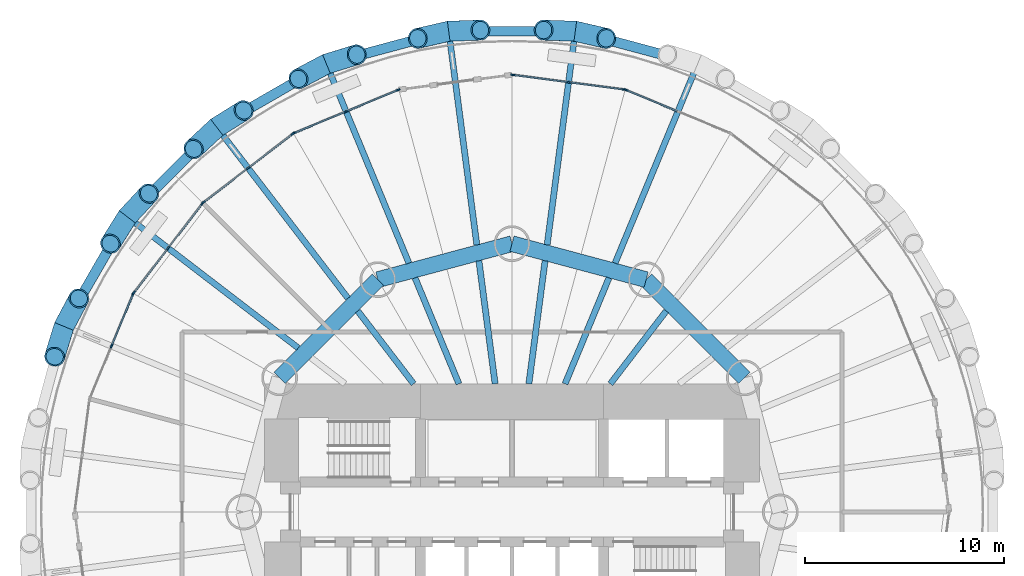
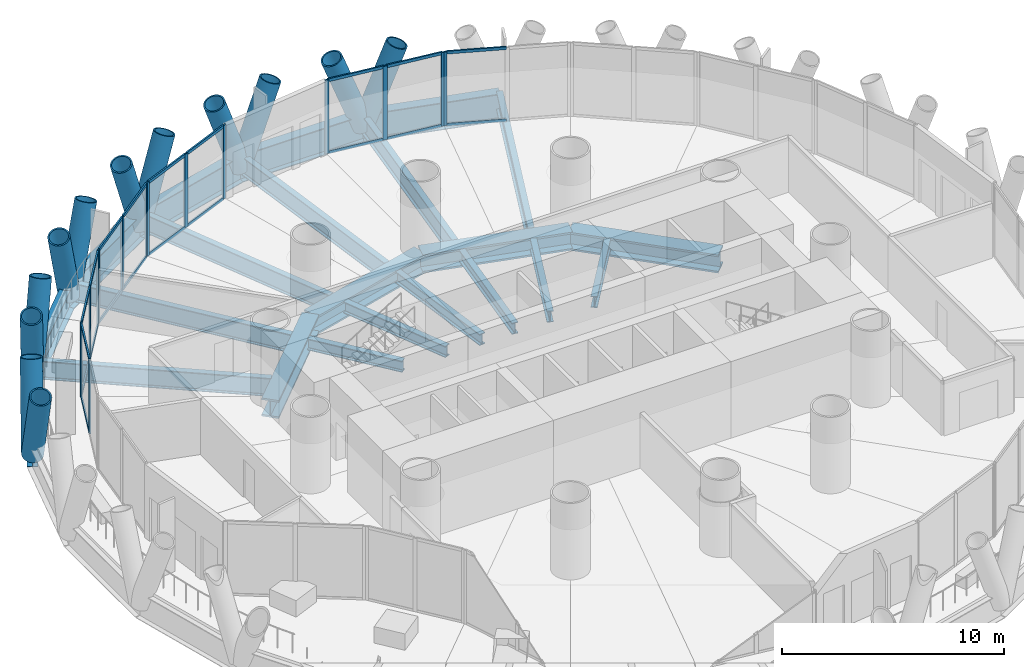
# One storey, part 5 of 14: 47 members, 22 beams, 6 elements without a shape of their own.
"""IFC4 building model written with IfcOpenShell, lengths in metres."""

from ifc_helpers import new_model, si_unit, direction, frame, origin, origin_2d, place, context, subcontext, project, spatial, rectangle, hollow_circle, i_section, extrude, material, material_profile, profile_set, type_object, element, aggregate, save


model = new_model("IFC4")

# Units and contexts
model_context = context("Model", 3, precision=1e-05, world=origin(), true_north=direction((0.0, 1.0)))
body_context = subcontext(model_context, "Body", "Model", "MODEL_VIEW")
ifc_project = project(units=[si_unit("LENGTHUNIT", "METRE"), si_unit("AREAUNIT", "SQUARE_METRE"), si_unit("VOLUMEUNIT", "CUBIC_METRE"), si_unit("PLANEANGLEUNIT", "RADIAN"), si_unit("MASSUNIT", "GRAM", prefix="KILO")], contexts=[model_context])

# Site, building, storey
site_placement = place(None, origin())
site = spatial("IfcSite", under=ifc_project, at=site_placement, CompositionType="ELEMENT")
building_placement = place(site_placement, origin())
building = spatial("IfcBuilding", under=site, at=building_placement, Name="Qaws Media Tower", CompositionType="ELEMENT")
storey_placement = place(building_placement, frame((0.0, 0.0, 185.60009765625)))
storey = spatial("IfcBuildingStorey", under=building, at=storey_placement, Name="L42", CompositionType="ELEMENT", Elevation=185.60009765625)

# Curtain wall, member
ifc_material_1 = material(Name="Aluminium and clear glass", Category="aluminium")
curtain_wall_type = type_object("IfcCurtainWallType", Name="Unitised curtain wall CW-B", PredefinedType="NOTDEFINED", material=ifc_material_1)
curtain_wall_1_placement = place(storey_placement, origin())
curtain_wall_1 = element("IfcCurtainWall", 1, at=curtain_wall_1_placement, inside=storey, type_object=curtain_wall_type, Name="CWB curtain wall L42-05", PredefinedType="NOTDEFINED")
ifc_material_2 = material(Name="Aluminium mullion", Category="aluminium")
ifc_material_profile_1 = material_profile(ifc_material_2, rectangle(XDim=0.080078125, YDim=0.199951171875, at=origin_2d()), Name="80x200")
ifc_profile_set_1 = profile_set([ifc_material_profile_1], Name="Aluminium mullion")
member_type_1 = type_object("IfcMemberType", Name="Curtain wall mullion 80x200", PredefinedType="MULLION", material=ifc_profile_set_1)
member_1_placement = place(storey_placement, frame((65.73095703125, 71.235107421875, 0.0), z_axis=(0.0, 0.0, 1.0), x_axis=(-0.38268338899, -0.923879550478, 0.0)))
member_1 = element("IfcMember", 2, at=member_1_placement, type_object=member_type_1, Name="CWB mullion 3", PredefinedType="MULLION", context=body_context, shape_type="SweptSolid", body=[
    extrude(rectangle(XDim=0.080078125, YDim=0.199951171875, at=origin_2d()), origin(), (0.0, 0.0, 1.0), 4.039794921875),
])

# Curtain wall, members
curtain_wall_2_placement = place(storey_placement, origin())
curtain_wall_2 = element("IfcCurtainWall", 3, at=curtain_wall_2_placement, inside=storey, type_object=curtain_wall_type, Name="CWB curtain wall L42-06", PredefinedType="NOTDEFINED")
member_2_placement = place(storey_placement, frame((65.654296875, 71.255615234375, 0.0), z_axis=(0.0, 0.0, 1.0), x_axis=(-0.130526222571, -0.991444857378, 0.0)))
member_2 = element("IfcMember", 4, at=member_2_placement, type_object=member_type_1, Name="CWB mullion 1", PredefinedType="MULLION", context=body_context, shape_type="SweptSolid", body=[
    extrude(rectangle(XDim=0.080078125, YDim=0.199951171875, at=origin_2d()), origin(), (0.0, 0.0, 1.0), 4.039794921875),
])
member_3_placement = place(storey_placement, frame((62.846923828125, 71.625244140625, 0.0), z_axis=(0.0, 0.0, 1.0), x_axis=(-0.130526222571, -0.991444857378, 0.0)))
member_3 = element("IfcMember", 5, at=member_3_placement, type_object=member_type_1, Name="CWB mullion 2", PredefinedType="MULLION", context=body_context, shape_type="SweptSolid", body=[
    extrude(rectangle(XDim=0.080078125, YDim=0.199951171875, at=origin_2d()), origin(), (0.0, 0.0, 1.0), 4.039794921875),
])
member_4_placement = place(storey_placement, frame((60.03955078125, 71.994873046875, 0.0), z_axis=(0.0, 0.0, 1.0), x_axis=(-0.130526222571, -0.991444857378, 0.0)))
member_4 = element("IfcMember", 6, at=member_4_placement, type_object=member_type_1, Name="CWB mullion 3", PredefinedType="MULLION", context=body_context, shape_type="SweptSolid", body=[
    extrude(rectangle(XDim=0.080078125, YDim=0.199951171875, at=origin_2d()), origin(), (0.0, 0.0, 1.0), 4.039794921875),
])

curtain_wall_3_placement = place(storey_placement, origin())
curtain_wall_3 = element("IfcCurtainWall", 7, at=curtain_wall_3_placement, inside=storey, type_object=curtain_wall_type, Name="CWB curtain wall L42-08", PredefinedType="NOTDEFINED")
member_5_placement = place(storey_placement, frame((54.26904296875, 71.235107421875, 0.0), z_axis=(0.0, 0.0, 1.0), x_axis=(0.38268338899, -0.923879550478, 0.0)))
member_5 = element("IfcMember", 8, at=member_5_placement, type_object=member_type_1, Name="CWB mullion 1", PredefinedType="MULLION", context=body_context, shape_type="SweptSolid", body=[
    extrude(rectangle(XDim=0.080078125, YDim=0.199951171875, at=origin_2d()), origin(), (0.0, 0.0, 1.0), 4.039794921875),
])
member_6_placement = place(storey_placement, frame((51.653076171875, 70.1513671875, 0.0), z_axis=(0.0, 0.0, 1.0), x_axis=(0.38268338899, -0.923879550478, 0.0)))
member_6 = element("IfcMember", 9, at=member_6_placement, type_object=member_type_1, Name="CWB mullion 2", PredefinedType="MULLION", context=body_context, shape_type="SweptSolid", body=[
    extrude(rectangle(XDim=0.080078125, YDim=0.199951171875, at=origin_2d()), origin(), (0.0, 0.0, 1.0), 4.039794921875),
])
member_7_placement = place(storey_placement, frame((49.036865234375, 69.06787109375, 0.0), z_axis=(0.0, 0.0, 1.0), x_axis=(0.38268338899, -0.923879550478, 0.0)))
member_7 = element("IfcMember", 10, at=member_7_placement, type_object=member_type_1, Name="CWB mullion 3", PredefinedType="MULLION", context=body_context, shape_type="SweptSolid", body=[
    extrude(rectangle(XDim=0.080078125, YDim=0.199951171875, at=origin_2d()), origin(), (0.0, 0.0, 1.0), 4.039794921875),
])

curtain_wall_4_placement = place(storey_placement, origin())
curtain_wall_4 = element("IfcCurtainWall", 11, at=curtain_wall_4_placement, inside=storey, type_object=curtain_wall_type, Name="CWB curtain wall L42-09", PredefinedType="NOTDEFINED")
member_8_placement = place(storey_placement, frame((48.96826171875, 69.0283203125, 0.0), z_axis=(0.0, 0.0, 1.0), x_axis=(0.608761477846, -0.793353302817, 0.0)))
member_8 = element("IfcMember", 12, at=member_8_placement, type_object=member_type_1, Name="CWB mullion 1", PredefinedType="MULLION", context=body_context, shape_type="SweptSolid", body=[
    extrude(rectangle(XDim=0.080078125, YDim=0.199951171875, at=origin_2d()), origin(), (0.0, 0.0, 1.0), 4.039794921875),
])
member_9_placement = place(storey_placement, frame((46.721923828125, 67.304443359375, 0.0), z_axis=(0.0, 0.0, 1.0), x_axis=(0.608761477846, -0.793353302817, 0.0)))
member_9 = element("IfcMember", 13, at=member_9_placement, type_object=member_type_1, Name="CWB mullion 2", PredefinedType="MULLION", context=body_context, shape_type="SweptSolid", body=[
    extrude(rectangle(XDim=0.080078125, YDim=0.199951171875, at=origin_2d()), origin(), (0.0, 0.0, 1.0), 4.039794921875),
])
member_10_placement = place(storey_placement, frame((44.475341796875, 65.580810546875, 0.0), z_axis=(0.0, 0.0, 1.0), x_axis=(0.608761477846, -0.793353302817, 0.0)))
member_10 = element("IfcMember", 14, at=member_10_placement, type_object=member_type_1, Name="CWB mullion 3", PredefinedType="MULLION", context=body_context, shape_type="SweptSolid", body=[
    extrude(rectangle(XDim=0.080078125, YDim=0.199951171875, at=origin_2d()), origin(), (0.0, 0.0, 1.0), 4.039794921875),
])

curtain_wall_5_placement = place(storey_placement, origin())
curtain_wall_5 = element("IfcCurtainWall", 15, at=curtain_wall_5_placement, inside=storey, type_object=curtain_wall_type, Name="CWB curtain wall L42-10", PredefinedType="NOTDEFINED")
member_11_placement = place(storey_placement, frame((44.419189453125, 65.524658203125, 0.0), z_axis=(0.0, 0.0, 1.0), x_axis=(0.793353302817, -0.608761477846, 0.0)))
member_11 = element("IfcMember", 16, at=member_11_placement, type_object=member_type_1, Name="CWB mullion 1", PredefinedType="MULLION", context=body_context, shape_type="SweptSolid", body=[
    extrude(rectangle(XDim=0.080078125, YDim=0.199951171875, at=origin_2d()), origin(), (0.0, 0.0, 1.0), 4.039794921875),
])
member_12_placement = place(storey_placement, frame((42.695556640625, 63.278076171875, 0.0), z_axis=(0.0, 0.0, 1.0), x_axis=(0.793353302817, -0.608761477846, 0.0)))
member_12 = element("IfcMember", 17, at=member_12_placement, type_object=member_type_1, Name="CWB mullion 2", PredefinedType="MULLION", context=body_context, shape_type="SweptSolid", body=[
    extrude(rectangle(XDim=0.080078125, YDim=0.199951171875, at=origin_2d()), origin(), (0.0, 0.0, 1.0), 4.039794921875),
])
member_13_placement = place(storey_placement, frame((40.9716796875, 61.03173828125, 0.0), z_axis=(0.0, 0.0, 1.0), x_axis=(0.793353302817, -0.608761477846, 0.0)))
member_13 = element("IfcMember", 18, at=member_13_placement, type_object=member_type_1, Name="CWB mullion 3", PredefinedType="MULLION", context=body_context, shape_type="SweptSolid", body=[
    extrude(rectangle(XDim=0.080078125, YDim=0.199951171875, at=origin_2d()), origin(), (0.0, 0.0, 1.0), 4.039794921875),
])

curtain_wall_6_placement = place(storey_placement, origin())
curtain_wall_6 = element("IfcCurtainWall", 19, at=curtain_wall_6_placement, inside=storey, type_object=curtain_wall_type, Name="CWB curtain wall L42-11", PredefinedType="NOTDEFINED")
member_14_placement = place(storey_placement, frame((40.93212890625, 60.963134765625, 0.0), z_axis=(0.0, 0.0, 1.0), x_axis=(0.923879550478, -0.38268338899, 0.0)))
member_14 = element("IfcMember", 20, at=member_14_placement, type_object=member_type_1, Name="CWB mullion 1", PredefinedType="MULLION", context=body_context, shape_type="SweptSolid", body=[
    extrude(rectangle(XDim=0.080078125, YDim=0.199951171875, at=origin_2d()), origin(), (0.0, 0.0, 1.0), 4.039794921875),
])
member_15_placement = place(storey_placement, frame((39.8486328125, 58.346923828125, 0.0), z_axis=(0.0, 0.0, 1.0), x_axis=(0.923879550478, -0.38268338899, 0.0)))
member_15 = element("IfcMember", 21, at=member_15_placement, type_object=member_type_1, Name="CWB mullion 2", PredefinedType="MULLION", context=body_context, shape_type="SweptSolid", body=[
    extrude(rectangle(XDim=0.080078125, YDim=0.199951171875, at=origin_2d()), origin(), (0.0, 0.0, 1.0), 4.039794921875),
])

# Member
ifc_material_3 = material(Name="Aluminium transom", Category="aluminium")
ifc_material_profile_2 = material_profile(ifc_material_3, rectangle(XDim=0.080078125, YDim=0.159912109375, at=origin_2d()), Name="80x160")
ifc_profile_set_2 = profile_set([ifc_material_profile_2], Name="Aluminium transom")
member_type_2 = type_object("IfcMemberType", Name="Curtain wall transom 80x160", PredefinedType="USERDEFINED", material=ifc_profile_set_2)
member_16_placement = place(storey_placement, frame((68.31005859375, 70.166748046875, 0.039794921875), z_axis=(-0.923885988857, 0.382667844996, 0.0), x_axis=(-0.382667844996, -0.923885988857, 0.0)))
member_16 = element("IfcMember", 22, at=member_16_placement, type_object=member_type_2, Name="CWB transom 2.1", ObjectType="TRANSOM", PredefinedType="USERDEFINED", context=body_context, shape_type="SweptSolid", body=[
    extrude(rectangle(XDim=0.080078125, YDim=0.159912109375, at=origin_2d()), origin(), (0.0, 0.0, 1.0), 2.751708984375),
])

member_17_placement = place(storey_placement, frame((68.31005859375, 70.166748046875, 4.0), z_axis=(-0.923885988857, 0.382667844996, 0.0), x_axis=(-0.382667844996, -0.923885988857, 0.0)))
member_17 = element("IfcMember", 23, at=member_17_placement, type_object=member_type_2, Name="CWB transom 2.2", ObjectType="TRANSOM", PredefinedType="USERDEFINED", context=body_context, shape_type="SweptSolid", body=[
    extrude(rectangle(XDim=0.080078125, YDim=0.159912109375, at=origin_2d()), origin(), (0.0, 0.0, 1.0), 2.751708984375),
])

aggregate(curtain_wall_1, [member_1, member_16, member_17])

member_18_placement = place(storey_placement, frame((65.61474609375, 71.2607421875, 0.039794921875), z_axis=(-0.991445837429, 0.130518778133, 0.0), x_axis=(-0.130518778133, -0.991445837429, 0.0)))
member_18 = element("IfcMember", 24, at=member_18_placement, type_object=member_type_2, Name="CWB transom 1.1", ObjectType="TRANSOM", PredefinedType="USERDEFINED", context=body_context, shape_type="SweptSolid", body=[
    extrude(rectangle(XDim=0.080078125, YDim=0.159912109375, at=origin_2d()), origin(), (0.0, 0.0, 1.0), 2.75146484375),
])

member_19_placement = place(storey_placement, frame((65.61474609375, 71.2607421875, 4.0), z_axis=(-0.991445837429, 0.130518778133, 0.0), x_axis=(-0.130518778133, -0.991445837429, 0.0)))
member_19 = element("IfcMember", 25, at=member_19_placement, type_object=member_type_2, Name="CWB transom 1.2", ObjectType="TRANSOM", PredefinedType="USERDEFINED", context=body_context, shape_type="SweptSolid", body=[
    extrude(rectangle(XDim=0.080078125, YDim=0.159912109375, at=origin_2d()), origin(), (0.0, 0.0, 1.0), 2.75146484375),
])

member_20_placement = place(storey_placement, frame((62.807373046875, 71.63037109375, 0.039794921875), z_axis=(-0.991445837429, 0.130518778133, 0.0), x_axis=(-0.130518778133, -0.991445837429, 0.0)))
member_20 = element("IfcMember", 26, at=member_20_placement, type_object=member_type_2, Name="CWB transom 2.1", ObjectType="TRANSOM", PredefinedType="USERDEFINED", context=body_context, shape_type="SweptSolid", body=[
    extrude(rectangle(XDim=0.080078125, YDim=0.159912109375, at=origin_2d()), origin(), (0.0, 0.0, 1.0), 2.75146484375),
])

member_21_placement = place(storey_placement, frame((62.807373046875, 71.63037109375, 4.0), z_axis=(-0.991445837429, 0.130518778133, 0.0), x_axis=(-0.130518778133, -0.991445837429, 0.0)))
member_21 = element("IfcMember", 27, at=member_21_placement, type_object=member_type_2, Name="CWB transom 2.2", ObjectType="TRANSOM", PredefinedType="USERDEFINED", context=body_context, shape_type="SweptSolid", body=[
    extrude(rectangle(XDim=0.080078125, YDim=0.159912109375, at=origin_2d()), origin(), (0.0, 0.0, 1.0), 2.75146484375),
])

aggregate(curtain_wall_2, [member_2, member_3, member_4, member_18, member_19, member_20, member_21])

member_22_placement = place(storey_placement, frame((54.232177734375, 71.2197265625, 0.039794921875), z_axis=(-0.923885988857, -0.382667844996, 0.0), x_axis=(0.382667844996, -0.923885988857, 0.0)))
member_22 = element("IfcMember", 28, at=member_22_placement, type_object=member_type_2, Name="CWB transom 1.1", ObjectType="TRANSOM", PredefinedType="USERDEFINED", context=body_context, shape_type="SweptSolid", body=[
    extrude(rectangle(XDim=0.080078125, YDim=0.159912109375, at=origin_2d()), origin(), (0.0, 0.0, 1.0), 2.751708984375),
])

member_23_placement = place(storey_placement, frame((54.232177734375, 71.2197265625, 4.0), z_axis=(-0.923885988857, -0.382667844996, 0.0), x_axis=(0.382667844996, -0.923885988857, 0.0)))
member_23 = element("IfcMember", 29, at=member_23_placement, type_object=member_type_2, Name="CWB transom 1.2", ObjectType="TRANSOM", PredefinedType="USERDEFINED", context=body_context, shape_type="SweptSolid", body=[
    extrude(rectangle(XDim=0.080078125, YDim=0.159912109375, at=origin_2d()), origin(), (0.0, 0.0, 1.0), 2.751708984375),
])

member_24_placement = place(storey_placement, frame((51.615966796875, 70.13623046875, 0.039794921875), z_axis=(-0.923872994947, -0.38269921506, 0.0), x_axis=(0.38269921506, -0.923872994947, 0.0)))
member_24 = element("IfcMember", 30, at=member_24_placement, type_object=member_type_2, Name="CWB transom 2.1", ObjectType="TRANSOM", PredefinedType="USERDEFINED", context=body_context, shape_type="SweptSolid", body=[
    extrude(rectangle(XDim=0.080078125, YDim=0.159912109375, at=origin_2d()), origin(), (0.0, 0.0, 1.0), 2.75146484375),
])

member_25_placement = place(storey_placement, frame((51.615966796875, 70.13623046875, 4.0), z_axis=(-0.923872994947, -0.38269921506, 0.0), x_axis=(0.38269921506, -0.923872994947, 0.0)))
member_25 = element("IfcMember", 31, at=member_25_placement, type_object=member_type_2, Name="CWB transom 2.2", ObjectType="TRANSOM", PredefinedType="USERDEFINED", context=body_context, shape_type="SweptSolid", body=[
    extrude(rectangle(XDim=0.080078125, YDim=0.159912109375, at=origin_2d()), origin(), (0.0, 0.0, 1.0), 2.75146484375),
])

aggregate(curtain_wall_3, [member_5, member_6, member_7, member_22, member_23, member_24, member_25])

member_26_placement = place(storey_placement, frame((48.9365234375, 69.00390625, 0.039794921875), z_axis=(-0.793339224104, -0.60877982514, 0.0), x_axis=(0.60877982514, -0.793339224104, 0.0)))
member_26 = element("IfcMember", 32, at=member_26_placement, type_object=member_type_2, Name="CWB transom 1.1", ObjectType="TRANSOM", PredefinedType="USERDEFINED", context=body_context, shape_type="SweptSolid", body=[
    extrude(rectangle(XDim=0.080078125, YDim=0.159912109375, at=origin_2d()), origin(), (0.0, 0.0, 1.0), 2.75146484375),
])

member_27_placement = place(storey_placement, frame((48.9365234375, 69.00390625, 4.0), z_axis=(-0.793339224104, -0.60877982514, 0.0), x_axis=(0.60877982514, -0.793339224104, 0.0)))
member_27 = element("IfcMember", 33, at=member_27_placement, type_object=member_type_2, Name="CWB transom 1.2", ObjectType="TRANSOM", PredefinedType="USERDEFINED", context=body_context, shape_type="SweptSolid", body=[
    extrude(rectangle(XDim=0.080078125, YDim=0.159912109375, at=origin_2d()), origin(), (0.0, 0.0, 1.0), 2.75146484375),
])

member_28_placement = place(storey_placement, frame((46.690185546875, 67.280029296875, 0.039794921875), z_axis=(-0.793372105291, -0.608736973205, 0.0), x_axis=(0.608736973205, -0.793372105291, 0.0)))
member_28 = element("IfcMember", 34, at=member_28_placement, type_object=member_type_2, Name="CWB transom 2.1", ObjectType="TRANSOM", PredefinedType="USERDEFINED", context=body_context, shape_type="SweptSolid", body=[
    extrude(rectangle(XDim=0.080078125, YDim=0.159912109375, at=origin_2d()), origin(), (0.0, 0.0, 1.0), 2.751708984375),
])

member_29_placement = place(storey_placement, frame((46.690185546875, 67.280029296875, 4.0), z_axis=(-0.793372105291, -0.608736973205, 0.0), x_axis=(0.608736973205, -0.793372105291, 0.0)))
member_29 = element("IfcMember", 35, at=member_29_placement, type_object=member_type_2, Name="CWB transom 2.2", ObjectType="TRANSOM", PredefinedType="USERDEFINED", context=body_context, shape_type="SweptSolid", body=[
    extrude(rectangle(XDim=0.080078125, YDim=0.159912109375, at=origin_2d()), origin(), (0.0, 0.0, 1.0), 2.751708984375),
])

aggregate(curtain_wall_4, [member_8, member_9, member_10, member_26, member_27, member_28, member_29])

member_30_placement = place(storey_placement, frame((44.39501953125, 65.492919921875, 0.039794921875), z_axis=(-0.608736973205, -0.793372105291, 0.0), x_axis=(0.793372105291, -0.608736973205, 0.0)))
member_30 = element("IfcMember", 36, at=member_30_placement, type_object=member_type_2, Name="CWB transom 1.1", ObjectType="TRANSOM", PredefinedType="USERDEFINED", context=body_context, shape_type="SweptSolid", body=[
    extrude(rectangle(XDim=0.080078125, YDim=0.159912109375, at=origin_2d()), origin(), (0.0, 0.0, 1.0), 2.751708984375),
])

member_31_placement = place(storey_placement, frame((44.39501953125, 65.492919921875, 4.0), z_axis=(-0.608736973205, -0.793372105291, 0.0), x_axis=(0.793372105291, -0.608736973205, 0.0)))
member_31 = element("IfcMember", 37, at=member_31_placement, type_object=member_type_2, Name="CWB transom 1.2", ObjectType="TRANSOM", PredefinedType="USERDEFINED", context=body_context, shape_type="SweptSolid", body=[
    extrude(rectangle(XDim=0.080078125, YDim=0.159912109375, at=origin_2d()), origin(), (0.0, 0.0, 1.0), 2.751708984375),
])

member_32_placement = place(storey_placement, frame((42.671142578125, 63.246337890625, 0.039794921875), z_axis=(-0.60877982514, -0.793339224104, 0.0), x_axis=(0.793339224104, -0.60877982514, 0.0)))
member_32 = element("IfcMember", 38, at=member_32_placement, type_object=member_type_2, Name="CWB transom 2.1", ObjectType="TRANSOM", PredefinedType="USERDEFINED", context=body_context, shape_type="SweptSolid", body=[
    extrude(rectangle(XDim=0.080078125, YDim=0.159912109375, at=origin_2d()), origin(), (0.0, 0.0, 1.0), 2.75146484375),
])

member_33_placement = place(storey_placement, frame((42.671142578125, 63.246337890625, 4.0), z_axis=(-0.60877982514, -0.793339224104, 0.0), x_axis=(0.793339224104, -0.60877982514, 0.0)))
member_33 = element("IfcMember", 39, at=member_33_placement, type_object=member_type_2, Name="CWB transom 2.2", ObjectType="TRANSOM", PredefinedType="USERDEFINED", context=body_context, shape_type="SweptSolid", body=[
    extrude(rectangle(XDim=0.080078125, YDim=0.159912109375, at=origin_2d()), origin(), (0.0, 0.0, 1.0), 2.75146484375),
])

aggregate(curtain_wall_5, [member_11, member_12, member_13, member_30, member_31, member_32, member_33])

member_34_placement = place(storey_placement, frame((40.916748046875, 60.926025390625, 0.039794921875), z_axis=(-0.38269921506, -0.923872994947, 0.0), x_axis=(0.923872994947, -0.38269921506, 0.0)))
member_34 = element("IfcMember", 40, at=member_34_placement, type_object=member_type_2, Name="CWB transom 1.1", ObjectType="TRANSOM", PredefinedType="USERDEFINED", context=body_context, shape_type="SweptSolid", body=[
    extrude(rectangle(XDim=0.080078125, YDim=0.159912109375, at=origin_2d()), origin(), (0.0, 0.0, 1.0), 2.75146484375),
])

member_35_placement = place(storey_placement, frame((40.916748046875, 60.926025390625, 4.0), z_axis=(-0.38269921506, -0.923872994947, 0.0), x_axis=(0.923872994947, -0.38269921506, 0.0)))
member_35 = element("IfcMember", 41, at=member_35_placement, type_object=member_type_2, Name="CWB transom 1.2", ObjectType="TRANSOM", PredefinedType="USERDEFINED", context=body_context, shape_type="SweptSolid", body=[
    extrude(rectangle(XDim=0.080078125, YDim=0.159912109375, at=origin_2d()), origin(), (0.0, 0.0, 1.0), 2.75146484375),
])

aggregate(curtain_wall_6, [member_14, member_15, member_34, member_35])

# Members
ifc_material_4 = material(Name="Steel S460", Category="steel")
ifc_material_profile_3 = material_profile(ifc_material_4, hollow_circle(Radius=0.508056640625, WallThickness=0.070068359375, at=origin_2d()), Name="CHS 1016x70")
ifc_profile_set_3 = profile_set([ifc_material_profile_3], Name="Steel S460")
member_type_3 = type_object("IfcMemberType", Name="Diagrid member CHS 1016x70", PredefinedType="USERDEFINED", material=ifc_profile_set_3)
for number, where, z_axis, x_axis, name in (
    (42, (63.184814453125, 74.191162109375, -0.91015625), (-0.35508768187, 0.012660356523, 0.93474726721), (-0.035631529294, -0.999364995445, 0.0), "DG3 diagrid L42 A06"),
    (43, (63.184814453125, 74.191162109375, -0.91015625), (0.346281775248, -0.079710554572, 0.93473801657), (0.224323417997, 0.974514753166, 0.0), "DG3 diagrid L42 B06"),
    (44, (56.815185546875, 74.191162109375, -0.91015625), (-0.346281775248, -0.079710554572, 0.93473801657), (0.224323417997, -0.974514753166, 0.0), "DG3 diagrid L42 A07"),
    (45, (56.815185546875, 74.191162109375, -0.91015625), (0.35508768187, 0.012660356523, 0.93474726721), (-0.035631529294, 0.999364995445, 0.0), "DG3 diagrid L42 B07"),
    (46, (50.66259765625, 72.542724609375, -0.91015625), (-0.313842658324, -0.166647408774, 0.934736019936), (0.468976335573, -0.883210731747, 0.0), "DG3 diagrid L42 A08"),
    (47, (50.66259765625, 72.542724609375, -0.91015625), (0.339711490552, 0.104108639779, 0.934749963525), (-0.293011030159, 0.956109060832, 0.0), "DG3 diagrid L42 B08"),
    (48, (45.146240234375, 69.35791015625, -0.91015625), (-0.260049614354, -0.242173240947, 0.934733287865), (0.68150607929, -0.731812451309, 0.0), "DG3 diagrid L42 A09"),
    (49, (45.146240234375, 69.35791015625, -0.91015625), (0.301236241932, 0.188489993373, 0.934734319978), (-0.530438694672, 0.847723298721, 0.0), "DG3 diagrid L42 B09"),
    (50, (40.64208984375, 64.853759765625, -0.91015625), (-0.188489993373, -0.301236241932, 0.934734319978), (0.847723298721, -0.530438694672, 0.0), "DG3 diagrid L42 A10"),
    (51, (40.64208984375, 64.853759765625, -0.91015625), (0.242173240947, 0.260049614354, 0.934733287865), (-0.731812451309, 0.68150607929, 0.0), "DG3 diagrid L42 B10"),
    (52, (37.457275390625, 59.33740234375, -0.91015625), (-0.104108639779, -0.339711490552, 0.934749963525), (0.956109060832, -0.293011030159, 0.0), "DG3 diagrid L42 A11"),
    (53, (37.457275390625, 59.33740234375, -0.91015625), (0.166647408774, 0.313842658324, 0.934736019936), (-0.883210731747, 0.468976335573, 0.0), "DG3 diagrid L42 B11"),
):
    element("IfcMember", number, at=place(storey_placement, frame(where, z_axis=z_axis, x_axis=x_axis)), inside=storey, type_object=member_type_3, Name=name, ObjectType="DIAGRID", PredefinedType="USERDEFINED", context=body_context, shape_type="SweptSolid", body=[
        extrude(hollow_circle(Radius=0.508056640625, WallThickness=0.070068359375, at=origin_2d()), origin(), (0.0, 0.0, 1.0), 4.4931640625),
    ])

# Beams
ifc_material_5 = material(Name="Steel S460", Category="steel")
ifc_material_profile_4 = material_profile(ifc_material_5, i_section(OverallWidth=0.5, OverallDepth=1.5, WebThickness=0.02001953125, FlangeThickness=0.0400390625, at=origin_2d()), Name="PG 1500x500")
ifc_profile_set_4 = profile_set([ifc_material_profile_4], Name="Steel S460")
beam_type_1 = type_object("IfcBeamType", Name="Edge ring beam PG 1500x500", PredefinedType="BEAM", material=ifc_profile_set_4)
for number, where, z_axis, x_axis, name in (
    (54, (69.33740234375, 72.542724609375, -0.91015625), (-0.965931456589, 0.258798031621, 0.0), (-0.258798031621, -0.965931456589, 0.0), "RB4 edge ring beam L42-05"),
    (55, (63.184814453125, 74.191162109375, -0.91015625), (-1.0, 0.0, 0.0), (0.0, -1.0, 0.0), "RB4 edge ring beam L42-06"),
    (56, (56.815185546875, 74.191162109375, -0.91015625), (-0.965931456589, -0.258798031621, 0.0), (0.258798031621, -0.965931456589, 0.0), "RB4 edge ring beam L42-07"),
    (57, (50.66259765625, 72.542724609375, -0.91015625), (-0.866029209911, -0.499993407537, 0.0), (0.499993407537, -0.866029209911, 0.0), "RB4 edge ring beam L42-08"),
):
    element("IfcBeam", number, at=place(storey_placement, frame(where, z_axis=z_axis, x_axis=x_axis)), inside=storey, type_object=beam_type_1, Name=name, PredefinedType="BEAM", context=body_context, shape_type="SweptSolid", body=[
        extrude(i_section(OverallWidth=0.5, OverallDepth=1.5, WebThickness=0.02001953125, FlangeThickness=0.0400390625, at=origin_2d()), origin(), (0.0, 0.0, 1.0), 6.36962890625),
    ])
beam_1_placement = place(storey_placement, frame((45.146240234375, 69.35791015625, -0.91015625), z_axis=(-0.707106781187, -0.707106781187, 0.0), x_axis=(0.707106781187, -0.707106781187, 0.0)))
element("IfcBeam", 58, at=beam_1_placement, inside=storey, type_object=beam_type_1, Name="RB4 edge ring beam L42-09", PredefinedType="BEAM", context=body_context, shape_type="SweptSolid", body=[
    extrude(i_section(OverallWidth=0.5, OverallDepth=1.5, WebThickness=0.02001953125, FlangeThickness=0.0400390625, at=origin_2d()), origin(), (0.0, 0.0, 1.0), 6.369873046875),
])
beam_2_placement = place(storey_placement, frame((40.64208984375, 64.853759765625, -0.91015625), z_axis=(-0.499993407537, -0.866029209911, 0.0), x_axis=(0.866029209911, -0.499993407537, 0.0)))
element("IfcBeam", 59, at=beam_2_placement, inside=storey, type_object=beam_type_1, Name="RB4 edge ring beam L42-10", PredefinedType="BEAM", context=body_context, shape_type="SweptSolid", body=[
    extrude(i_section(OverallWidth=0.5, OverallDepth=1.5, WebThickness=0.02001953125, FlangeThickness=0.0400390625, at=origin_2d()), origin(), (0.0, 0.0, 1.0), 6.36962890625),
])
ifc_material_6 = material(Name="Steel S460", Category="steel")
ifc_material_profile_5 = material_profile(ifc_material_6, i_section(OverallWidth=0.800048828125, OverallDepth=1.0, WebThickness=0.0400390625, FlangeThickness=0.10009765625, at=origin_2d()), Name="PG 1000x800")
ifc_profile_set_5 = profile_set([ifc_material_profile_5], Name="Steel S460")
beam_type_2 = type_object("IfcBeamType", Name="Inner ring girder PG 1000x800", PredefinedType="BEAM", material=ifc_profile_set_5)
beam_3_placement = place(storey_placement, frame((71.69140625, 56.75, -0.66015625), z_axis=(-0.707106781187, 0.707106781187, 0.0), x_axis=(-0.707106781187, -0.707106781187, 0.0)))
element("IfcBeam", 60, at=beam_3_placement, inside=storey, type_object=beam_type_2, Name="B3 inner ring beam L42 I02-I03", PredefinedType="BEAM", context=body_context, shape_type="SweptSolid", body=[
    extrude(i_section(OverallWidth=0.800048828125, OverallDepth=1.0, WebThickness=0.0400390625, FlangeThickness=0.10009765625, at=origin_2d()), origin(), (0.0, 0.0, 1.0), 6.98828125),
])
for number, where, z_axis, x_axis, name in (
    (61, (66.75, 61.69140625, -0.66015625), (-0.965928090778, 0.258810593767, 0.0), (-0.258810593767, -0.965928090778, 0.0), "B3 inner ring beam L42 I03-I04"),
    (62, (60.0, 63.5, -0.66015625), (-0.965928090778, -0.258810593767, 0.0), (0.258810593767, -0.965928090778, 0.0), "B3 inner ring beam L42 I04-I05"),
):
    element("IfcBeam", number, at=place(storey_placement, frame(where, z_axis=z_axis, x_axis=x_axis)), inside=storey, type_object=beam_type_2, Name=name, PredefinedType="BEAM", context=body_context, shape_type="SweptSolid", body=[
        extrude(i_section(OverallWidth=0.800048828125, OverallDepth=1.0, WebThickness=0.0400390625, FlangeThickness=0.10009765625, at=origin_2d()), origin(), (0.0, 0.0, 1.0), 6.988037109375),
    ])
beam_4_placement = place(storey_placement, frame((53.25, 61.69140625, -0.66015625), z_axis=(-0.707106781187, -0.707106781187, 0.0), x_axis=(0.707106781187, -0.707106781187, 0.0)))
element("IfcBeam", 63, at=beam_4_placement, inside=storey, type_object=beam_type_2, Name="B3 inner ring beam L42 I05-I06", PredefinedType="BEAM", context=body_context, shape_type="SweptSolid", body=[
    extrude(i_section(OverallWidth=0.800048828125, OverallDepth=1.0, WebThickness=0.0400390625, FlangeThickness=0.10009765625, at=origin_2d()), origin(), (0.0, 0.0, 1.0), 6.98828125),
])
ifc_material_7 = material(Name="Steel S355", Category="steel")
ifc_material_profile_6 = material_profile(ifc_material_7, i_section(OverallWidth=0.302001953125, OverallDepth=1.008056640625, WebThickness=0.02099609375, FlangeThickness=0.0400390625, FilletRadius=0.030029296875, at=origin_2d()), Name="HE 1000 M")
ifc_profile_set_6 = profile_set([ifc_material_profile_6], Name="Steel S355")
beam_type_3 = type_object("IfcBeamType", Name="Radial beam HE 1000 M", PredefinedType="BEAM", material=ifc_profile_set_6)
for number, where, z_axis, x_axis, name in (
    (64, (65.187744140625, 62.524169921875, -0.6640625), (0.382670600323, 0.923884847613, 0.0), (-0.923884847613, 0.382670600323, 0.0), "B1 radial beam L42 05"),
    (65, (61.769287109375, 63.43994140625, -0.6640625), (0.130535464011, 0.991443640675, 0.0), (-0.991443640675, 0.130535464011, 0.0), "B1 radial beam L42 06"),
    (66, (58.230712890625, 63.43994140625, -0.6640625), (-0.130535464011, 0.991443640675, 0.0), (-0.991443640675, -0.130535464011, 0.0), "B1 radial beam L42 07"),
    (67, (54.812255859375, 62.524169921875, -0.6640625), (-0.382670600323, 0.923884847613, 0.0), (-0.923884847613, -0.382670600323, 0.0), "B1 radial beam L42 08"),
    (68, (51.74755859375, 60.754638671875, -0.6640625), (-0.608749586342, 0.793362427349, 0.0), (-0.793362427349, -0.608749586342, 0.0), "B1 radial beam L42 09"),
    (69, (49.245361328125, 58.25244140625, -0.6640625), (-0.793362427349, 0.608749586342, 0.0), (-0.608749586342, -0.793362427349, 0.0), "B1 radial beam L42 10"),
):
    element("IfcBeam", number, at=place(storey_placement, frame(where, z_axis=z_axis, x_axis=x_axis)), inside=storey, type_object=beam_type_3, Name=name, PredefinedType="BEAM", context=body_context, shape_type="SweptSolid", body=[
        extrude(i_section(OverallWidth=0.302001953125, OverallDepth=1.008056640625, WebThickness=0.02099609375, FlangeThickness=0.0400390625, FilletRadius=0.030029296875, at=origin_2d()), origin(), (0.0, 0.0, 1.0), 10.843994140625),
    ])
ifc_material_8 = material(Name="Steel S355", Category="steel")
ifc_material_profile_7 = material_profile(ifc_material_8, i_section(OverallWidth=0.304931640625, OverallDepth=0.6201171875, WebThickness=0.02099609375, FlangeThickness=0.0400390625, FilletRadius=0.027099609375, at=origin_2d()), Name="HE 600 M")
ifc_profile_set_7 = profile_set([ifc_material_profile_7], Name="Steel S355")
beam_type_4 = type_object("IfcBeamType", Name="Radial beam HE 600 M, core side", PredefinedType="BEAM", material=ifc_profile_set_7)
beam_5_placement = place(storey_placement, frame((64.94921875, 56.449951171875, -0.47021484375), z_axis=(0.608775464599, 0.793342570206, 0.0), x_axis=(-0.793342570206, 0.608775464599, 0.0)))
element("IfcBeam", 70, at=beam_5_placement, inside=storey, type_object=beam_type_4, Name="B2 radial beam L42 04", PredefinedType="BEAM", context=body_context, shape_type="SweptSolid", body=[
    extrude(i_section(OverallWidth=0.304931640625, OverallDepth=0.6201171875, WebThickness=0.02099609375, FlangeThickness=0.0400390625, FilletRadius=0.027099609375, at=origin_2d()), origin(), (0.0, 0.0, 1.0), 4.619140625),
])
beam_6_placement = place(storey_placement, frame((62.671630859375, 56.449951171875, -0.47021484375), z_axis=(0.382696973442, 0.923873923497, 0.0), x_axis=(-0.923873923497, 0.382696973442, 0.0)))
element("IfcBeam", 71, at=beam_6_placement, inside=storey, type_object=beam_type_4, Name="B2 radial beam L42 05", PredefinedType="BEAM", context=body_context, shape_type="SweptSolid", body=[
    extrude(i_section(OverallWidth=0.304931640625, OverallDepth=0.6201171875, WebThickness=0.02099609375, FlangeThickness=0.0400390625, FilletRadius=0.027099609375, at=origin_2d()), origin(), (0.0, 0.0, 1.0), 5.767578125),
])
for number, where, z_axis, x_axis, name in (
    (72, (60.84912109375, 56.449951171875, -0.47021484375), (0.130529366269, 0.991444443497, 0.0), (-0.991444443497, 0.130529366269, 0.0), "B2 radial beam L42 06"),
    (73, (59.15087890625, 56.449951171875, -0.47021484375), (-0.130529366269, 0.991444443497, 0.0), (-0.991444443497, -0.130529366269, 0.0), "B2 radial beam L42 07"),
):
    element("IfcBeam", number, at=place(storey_placement, frame(where, z_axis=z_axis, x_axis=x_axis)), inside=storey, type_object=beam_type_4, Name=name, PredefinedType="BEAM", context=body_context, shape_type="SweptSolid", body=[
        extrude(i_section(OverallWidth=0.304931640625, OverallDepth=0.6201171875, WebThickness=0.02099609375, FlangeThickness=0.0400390625, FilletRadius=0.027099609375, at=origin_2d()), origin(), (0.0, 0.0, 1.0), 6.243408203125),
    ])
beam_7_placement = place(storey_placement, frame((57.328369140625, 56.449951171875, -0.47021484375), z_axis=(-0.382696973442, 0.923873923497, 0.0), x_axis=(-0.923873923497, -0.382696973442, 0.0)))
element("IfcBeam", 74, at=beam_7_placement, inside=storey, type_object=beam_type_4, Name="B2 radial beam L42 08", PredefinedType="BEAM", context=body_context, shape_type="SweptSolid", body=[
    extrude(i_section(OverallWidth=0.304931640625, OverallDepth=0.6201171875, WebThickness=0.02099609375, FlangeThickness=0.0400390625, FilletRadius=0.027099609375, at=origin_2d()), origin(), (0.0, 0.0, 1.0), 5.767578125),
])
beam_8_placement = place(storey_placement, frame((55.05078125, 56.449951171875, -0.47021484375), z_axis=(-0.608775464599, 0.793342570206, 0.0), x_axis=(-0.793342570206, -0.608775464599, 0.0)))
element("IfcBeam", 75, at=beam_8_placement, inside=storey, type_object=beam_type_4, Name="B2 radial beam L42 09", PredefinedType="BEAM", context=body_context, shape_type="SweptSolid", body=[
    extrude(i_section(OverallWidth=0.304931640625, OverallDepth=0.6201171875, WebThickness=0.02099609375, FlangeThickness=0.0400390625, FilletRadius=0.027099609375, at=origin_2d()), origin(), (0.0, 0.0, 1.0), 4.619140625),
])

save(model, "model.ifc")
